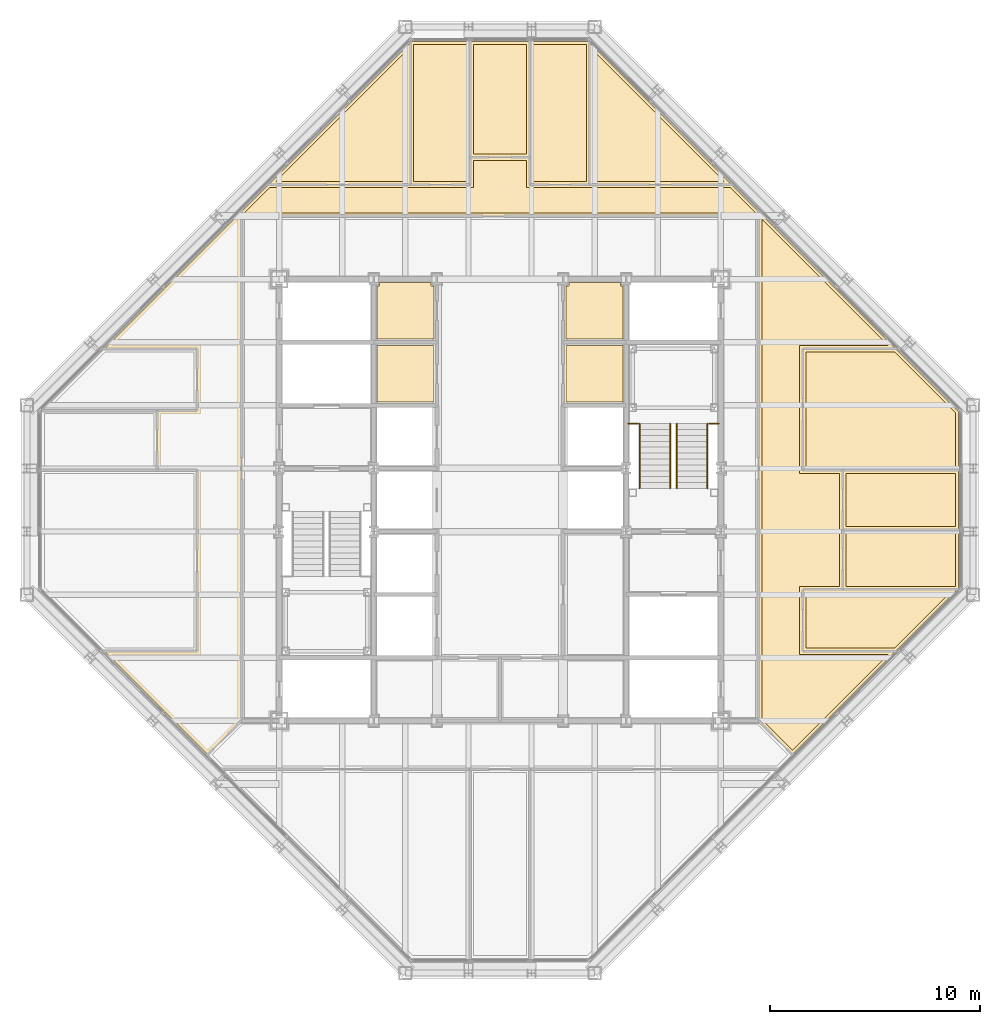
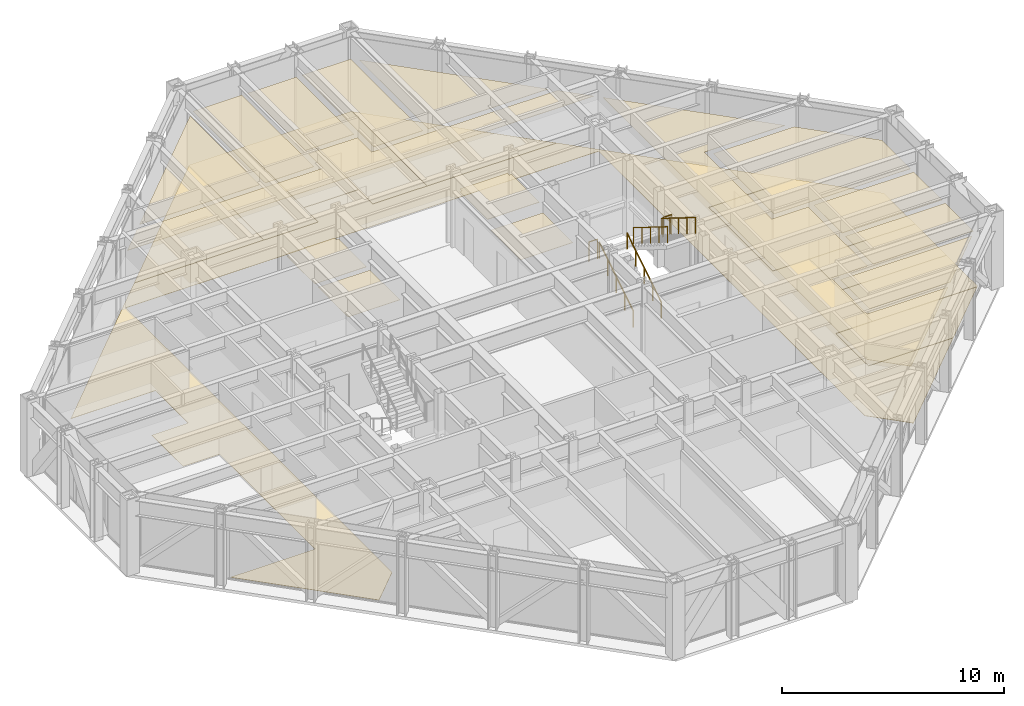
# One storey, part 15 of 15: 25 coverings, 6 railings.
"""IFC4 building model written with IfcOpenShell, lengths in metres."""

from ifc_helpers import new_model, si_unit, direction, frame, origin, origin_2d, place, context, subcontext, project, spatial, polyline, circle, outline, extrude, material, layer, layer_set, type_object, element, save


model = new_model("IFC4")

# Units and contexts
model_context = context("Model", 3, precision=1e-05, world=origin(), true_north=direction((0.0, 1.0)))
body_context = subcontext(model_context, "Body", "Model", "MODEL_VIEW")
ifc_project = project(units=[si_unit("LENGTHUNIT", "METRE"), si_unit("AREAUNIT", "SQUARE_METRE"), si_unit("VOLUMEUNIT", "CUBIC_METRE"), si_unit("PLANEANGLEUNIT", "RADIAN"), si_unit("MASSUNIT", "GRAM", prefix="KILO")], contexts=[model_context])

# Site, building, storey
site_placement = place(None, origin())
site = spatial("IfcSite", under=ifc_project, at=site_placement, CompositionType="ELEMENT")
building_placement = place(site_placement, origin())
building = spatial("IfcBuilding", under=site, at=building_placement, Name="Chuquiago Exchange Tower", CompositionType="ELEMENT")
storey_placement = place(building_placement, frame((0.0, 0.0, 266.39990234375)))
storey = spatial("IfcBuildingStorey", under=building, at=storey_placement, Name="L59", CompositionType="ELEMENT", Elevation=266.39990234375)

# Coverings
ifc_material_1 = material(Name="Mineral fibre tile, 600 x 600, on pale metal grid", Category="mineral fibre")
ifc_layer_1 = layer(ifc_material_1, 0.02001953125)
ifc_layer_set_1 = layer_set([ifc_layer_1], Name="CL1 suspended tile ceiling 20")
covering_type_1 = type_object("IfcCoveringType", Name="CL1 suspended tile ceiling 20", PredefinedType="CEILING", material=ifc_layer_set_1)
covering_1_placement = place(storey_placement, frame((0.0, 0.0, 3.0)))
element("IfcCovering", 1, at=covering_1_placement, inside=storey, type_object=covering_type_1, Name="Ceiling Office", PredefinedType="CEILING", context=body_context, shape_type="SweptSolid", body=[
    extrude(outline(polyline([(37.050048828125, 15.45703125), (37.050048828125, 18.098388671875), (43.896484375, 18.098388671875), (41.255126953125, 15.45703125), (37.050048828125, 15.45703125)])), origin(), (0.0, 0.0, 1.0), 0.02001953125),
])
covering_2_placement = place(storey_placement, frame((0.0, 0.0, 3.0)))
element("IfcCovering", 2, at=covering_2_placement, inside=storey, type_object=covering_type_1, Name="Ceiling Pantry", PredefinedType="CEILING", context=body_context, shape_type="SweptSolid", body=[
    extrude(outline(polyline([(38.949951171875, 18.3984375), (38.949951171875, 20.932861328125), (44.14990234375, 20.932861328125), (44.14990234375, 18.3984375), (38.949951171875, 18.3984375)])), origin(), (0.0, 0.0, 1.0), 0.02001953125),
])
covering_3_placement = place(storey_placement, frame((0.0, 0.0, 3.0)))
element("IfcCovering", 3, at=covering_3_placement, inside=storey, type_object=covering_type_1, Name="Ceiling Focus room", PredefinedType="CEILING", context=body_context, shape_type="SweptSolid", body=[
    extrude(outline(polyline([(38.949951171875, 21.23291015625), (38.949951171875, 23.76708984375), (44.14990234375, 23.76708984375), (44.14990234375, 21.23291015625), (38.949951171875, 21.23291015625)])), origin(), (0.0, 0.0, 1.0), 0.02001953125),
])
covering_4_placement = place(storey_placement, frame((0.0, 0.0, 3.0)))
element("IfcCovering", 4, at=covering_4_placement, inside=storey, type_object=covering_type_1, Name="Ceiling Office", PredefinedType="CEILING", context=body_context, shape_type="SweptSolid", body=[
    extrude(outline(polyline([(44.14990234375, 24.067138671875), (37.050048828125, 24.067138671875), (37.050048828125, 29.54296875), (41.255126953125, 29.54296875), (44.14990234375, 26.64794921875), (44.14990234375, 24.067138671875)])), origin(), (0.0, 0.0, 1.0), 0.02001953125),
])
covering_5_placement = place(storey_placement, frame((0.0, 0.0, 3.0)))
element("IfcCovering", 5, at=covering_5_placement, inside=storey, type_object=covering_type_1, Name="Ceiling Executive office", PredefinedType="CEILING", context=body_context, shape_type="SweptSolid", body=[
    extrude(outline(polyline([(18.098388671875, 37.64990234375), (11.85205078125, 37.64990234375), (18.098388671875, 43.896484375), (18.098388671875, 37.64990234375)])), origin(), (0.0, 0.0, 1.0), 0.02001953125),
])
covering_6_placement = place(storey_placement, frame((0.0, 0.0, 3.0)))
element("IfcCovering", 6, at=covering_6_placement, inside=storey, type_object=covering_type_1, Name="Ceiling Meeting room", PredefinedType="CEILING", context=body_context, shape_type="SweptSolid", body=[
    extrude(outline(polyline([(20.932861328125, 44.14990234375), (20.932861328125, 37.64990234375), (18.3984375, 37.64990234375), (18.3984375, 44.14990234375), (20.932861328125, 44.14990234375)])), origin(), (0.0, 0.0, 1.0), 0.02001953125),
])
covering_7_placement = place(storey_placement, frame((0.0, 0.0, 3.0)))
element("IfcCovering", 7, at=covering_7_placement, inside=storey, type_object=covering_type_1, Name="Ceiling Focus room", PredefinedType="CEILING", context=body_context, shape_type="SweptSolid", body=[
    extrude(outline(polyline([(23.76708984375, 38.949951171875), (21.23291015625, 38.949951171875), (21.23291015625, 44.14990234375), (23.76708984375, 44.14990234375), (23.76708984375, 38.949951171875)])), origin(), (0.0, 0.0, 1.0), 0.02001953125),
])
covering_8_placement = place(storey_placement, frame((0.0, 0.0, 3.0)))
element("IfcCovering", 8, at=covering_8_placement, inside=storey, type_object=covering_type_1, Name="Ceiling Office", PredefinedType="CEILING", context=body_context, shape_type="SweptSolid", body=[
    extrude(outline(polyline([(26.6015625, 37.64990234375), (24.067138671875, 37.64990234375), (24.067138671875, 44.14990234375), (26.6015625, 44.14990234375), (26.6015625, 37.64990234375)])), origin(), (0.0, 0.0, 1.0), 0.02001953125),
])
covering_9_placement = place(storey_placement, frame((0.0, 0.0, 3.0)))
element("IfcCovering", 9, at=covering_9_placement, inside=storey, type_object=covering_type_1, Name="Ceiling Conference room", PredefinedType="CEILING", context=body_context, shape_type="SweptSolid", body=[
    extrude(outline(polyline([(26.901611328125, 37.64990234375), (26.901611328125, 43.896484375), (33.14794921875, 37.64990234375), (26.901611328125, 37.64990234375)])), origin(), (0.0, 0.0, 1.0), 0.02001953125),
])
covering_10_placement = place(storey_placement, frame((0.0, 0.0, 3.0)))
element("IfcCovering", 10, at=covering_10_placement, inside=storey, type_object=covering_type_1, Name="Ceiling Executive reception east", PredefinedType="CEILING", context=body_context, shape_type="SweptSolid", body=[
    extrude(outline(polyline([(40.955078125, 29.843017578125), (36.75, 29.843017578125), (36.75, 23.76708984375), (38.64990234375, 23.76708984375), (38.64990234375, 18.3984375), (36.75, 18.3984375), (36.75, 15.156982421875), (40.955078125, 15.156982421875), (36.405517578125, 10.607421875), (34.949951171875, 12.0625), (34.949951171875, 35.847900390625), (40.955078125, 29.843017578125)])), origin(), (0.0, 0.0, 1.0), 0.02001953125),
])
covering_11_placement = place(storey_placement, frame((0.0, 0.0, 3.0)))
element("IfcCovering", 11, at=covering_11_placement, inside=storey, type_object=covering_type_1, Name="Ceiling Executive reception east", PredefinedType="CEILING", context=body_context, shape_type="SweptSolid", body=[
    extrude(outline(polyline([(11.552001953125, 37.35009765625), (21.23291015625, 37.35009765625), (21.23291015625, 38.64990234375), (23.76708984375, 38.64990234375), (23.76708984375, 37.35009765625), (33.447998046875, 37.35009765625), (34.64794921875, 36.14990234375), (10.35205078125, 36.14990234375), (11.552001953125, 37.35009765625)])), origin(), (0.0, 0.0, 1.0), 0.02001953125),
])
covering_12_placement = place(storey_placement, frame((0.0, 0.0, 3.0)))
element("IfcCovering", 12, at=covering_12_placement, inside=storey, type_object=covering_type_1, Name="Ceiling Baby change room", PredefinedType="CEILING", context=body_context, shape_type="SweptSolid", body=[
    extrude(outline(polyline([(25.64990234375, 30.14990234375), (25.64990234375, 32.67578125), (25.77490234375, 32.67578125), (25.77490234375, 32.85009765625), (28.22509765625, 32.85009765625), (28.22509765625, 32.67578125), (28.35009765625, 32.67578125), (28.35009765625, 30.14990234375), (25.64990234375, 30.14990234375)])), origin(), (0.0, 0.0, 1.0), 0.02001953125),
])
ifc_material_2 = material(Name="Moisture resistant plasterboard on metal frame", Category="gypsum")
ifc_layer_2 = layer(ifc_material_2, 0.014892578125)
ifc_layer_set_2 = layer_set([ifc_layer_2], Name="CL2 moisture resistant ceiling 15")
covering_type_2 = type_object("IfcCoveringType", Name="CL2 moisture resistant ceiling 15", PredefinedType="CEILING", material=ifc_layer_set_2)
covering_13_placement = place(storey_placement, frame((0.0, 0.0, 2.60009765625)))
element("IfcCovering", 13, at=covering_13_placement, inside=storey, type_object=covering_type_2, Name="Ceiling Male WC", PredefinedType="CEILING", context=body_context, shape_type="SweptSolid", body=[
    extrude(outline(polyline([(16.64990234375, 27.14990234375), (16.64990234375, 29.85009765625), (19.35009765625, 29.85009765625), (19.35009765625, 27.14990234375), (16.64990234375, 27.14990234375)])), origin(), (0.0, 0.0, 1.0), 0.014892578125),
])
covering_14_placement = place(storey_placement, frame((0.0, 0.0, 2.60009765625)))
element("IfcCovering", 14, at=covering_14_placement, inside=storey, type_object=covering_type_2, Name="Ceiling Staff shower room", PredefinedType="CEILING", context=body_context, shape_type="SweptSolid", body=[
    extrude(outline(polyline([(16.64990234375, 30.14990234375), (16.64990234375, 32.67578125), (16.77490234375, 32.67578125), (16.77490234375, 32.85009765625), (19.22509765625, 32.85009765625), (19.22509765625, 32.67578125), (19.35009765625, 32.67578125), (19.35009765625, 30.14990234375), (16.64990234375, 30.14990234375)])), origin(), (0.0, 0.0, 1.0), 0.014892578125),
])
covering_15_placement = place(storey_placement, frame((0.0, 0.0, 2.60009765625)))
element("IfcCovering", 15, at=covering_15_placement, inside=storey, type_object=covering_type_2, Name="Ceiling Female WC", PredefinedType="CEILING", context=body_context, shape_type="SweptSolid", body=[
    extrude(outline(polyline([(25.64990234375, 27.14990234375), (25.64990234375, 29.85009765625), (28.35009765625, 29.85009765625), (28.35009765625, 27.14990234375), (25.64990234375, 27.14990234375)])), origin(), (0.0, 0.0, 1.0), 0.014892578125),
])
ifc_material_3 = material(Name="Carpet tile, 500 x 500, on the floor slab", Category="textile")
ifc_layer_3 = layer(ifc_material_3, 0.010009765625)
ifc_layer_set_3 = layer_set([ifc_layer_3], Name="FL1 carpet tile 10")
covering_type_3 = type_object("IfcCoveringType", Name="FL1 carpet tile 10", PredefinedType="FLOORING", material=ifc_layer_set_3)
covering_16_placement = place(storey_placement, origin())
element("IfcCovering", 16, at=covering_16_placement, inside=storey, type_object=covering_type_3, Name="Floor finish Office", PredefinedType="FLOORING", context=body_context, shape_type="SweptSolid", body=[
    extrude(outline(polyline([(41.317138671875, 15.30712890625), (36.89990234375, 15.30712890625), (36.89990234375, 18.24853515625), (44.258544921875, 18.24853515625), (41.317138671875, 15.30712890625)])), origin(), (0.0, 0.0, 1.0), 0.010009765625),
])
covering_17_placement = place(storey_placement, origin())
element("IfcCovering", 17, at=covering_17_placement, inside=storey, type_object=covering_type_3, Name="Floor finish Focus room", PredefinedType="FLOORING", context=body_context, shape_type="SweptSolid", body=[
    extrude(outline(polyline([(44.300048828125, 21.082763671875), (38.800048828125, 21.082763671875), (38.800048828125, 23.917236328125), (44.300048828125, 23.917236328125), (44.300048828125, 21.082763671875)])), origin(), (0.0, 0.0, 1.0), 0.010009765625),
])
covering_18_placement = place(storey_placement, origin())
element("IfcCovering", 18, at=covering_18_placement, inside=storey, type_object=covering_type_3, Name="Floor finish Office", PredefinedType="FLOORING", context=body_context, shape_type="SweptSolid", body=[
    extrude(outline(polyline([(44.300048828125, 26.710205078125), (44.300048828125, 23.917236328125), (36.89990234375, 23.917236328125), (36.89990234375, 29.69287109375), (41.317138671875, 29.69287109375), (44.300048828125, 26.710205078125)])), origin(), (0.0, 0.0, 1.0), 0.010009765625),
])
covering_19_placement = place(storey_placement, origin())
element("IfcCovering", 19, at=covering_19_placement, inside=storey, type_object=covering_type_3, Name="Floor finish Executive office", PredefinedType="FLOORING", context=body_context, shape_type="SweptSolid", body=[
    extrude(outline(polyline([(18.24853515625, 44.258544921875), (18.24853515625, 37.5), (11.489990234375, 37.5), (18.24853515625, 44.258544921875)])), origin(), (0.0, 0.0, 1.0), 0.010009765625),
])
covering_20_placement = place(storey_placement, origin())
element("IfcCovering", 20, at=covering_20_placement, inside=storey, type_object=covering_type_3, Name="Floor finish Meeting room", PredefinedType="FLOORING", context=body_context, shape_type="SweptSolid", body=[
    extrude(outline(polyline([(18.289794921875, 44.300048828125), (21.082763671875, 44.300048828125), (21.082763671875, 37.5), (18.24853515625, 37.5), (18.24853515625, 44.258544921875), (18.289794921875, 44.300048828125)])), origin(), (0.0, 0.0, 1.0), 0.010009765625),
])
covering_21_placement = place(storey_placement, origin())
element("IfcCovering", 21, at=covering_21_placement, inside=storey, type_object=covering_type_3, Name="Floor finish Focus room", PredefinedType="FLOORING", context=body_context, shape_type="SweptSolid", body=[
    extrude(outline(polyline([(23.917236328125, 44.300048828125), (23.917236328125, 38.800048828125), (21.082763671875, 38.800048828125), (21.082763671875, 44.300048828125), (23.917236328125, 44.300048828125)])), origin(), (0.0, 0.0, 1.0), 0.010009765625),
])
covering_22_placement = place(storey_placement, origin())
element("IfcCovering", 22, at=covering_22_placement, inside=storey, type_object=covering_type_3, Name="Floor finish Office", PredefinedType="FLOORING", context=body_context, shape_type="SweptSolid", body=[
    extrude(outline(polyline([(26.710205078125, 44.300048828125), (26.75146484375, 44.258544921875), (26.75146484375, 37.5), (23.917236328125, 37.5), (23.917236328125, 44.300048828125), (26.710205078125, 44.300048828125)])), origin(), (0.0, 0.0, 1.0), 0.010009765625),
])
covering_23_placement = place(storey_placement, origin())
element("IfcCovering", 23, at=covering_23_placement, inside=storey, type_object=covering_type_3, Name="Floor finish Conference room", PredefinedType="FLOORING", context=body_context, shape_type="SweptSolid", body=[
    extrude(outline(polyline([(33.510009765625, 37.5), (26.75146484375, 37.5), (26.75146484375, 44.258544921875), (33.510009765625, 37.5)])), origin(), (0.0, 0.0, 1.0), 0.010009765625),
])
ifc_material_4 = material(Name="Porcelain floor tile, 600 x 600, on adhesive bed", Category="ceramic")
ifc_layer_4 = layer(ifc_material_4, 0.014892578125)
ifc_layer_set_4 = layer_set([ifc_layer_4], Name="FL2 porcelain tile 15")
covering_type_4 = type_object("IfcCoveringType", Name="FL2 porcelain tile 15", PredefinedType="FLOORING", material=ifc_layer_set_4)
covering_24_placement = place(storey_placement, origin())
element("IfcCovering", 24, at=covering_24_placement, inside=storey, type_object=covering_type_4, Name="Floor finish Pantry", PredefinedType="FLOORING", context=body_context, shape_type="SweptSolid", body=[
    extrude(outline(polyline([(44.300048828125, 18.289794921875), (44.258544921875, 18.24853515625), (38.800048828125, 18.24853515625), (38.800048828125, 21.082763671875), (44.300048828125, 21.082763671875), (44.300048828125, 18.289794921875)])), origin(), (0.0, 0.0, 1.0), 0.01513671875),
])
covering_25_placement = place(storey_placement, origin())
element("IfcCovering", 25, at=covering_25_placement, inside=storey, type_object=covering_type_4, Name="Floor finish Executive reception east", PredefinedType="FLOORING", context=body_context, shape_type="SweptSolid", body=[
    extrude(outline(polyline([(23.917236328125, 38.800048828125), (23.917236328125, 37.5), (33.510009765625, 37.5), (30.130859375, 40.87939453125), (41.317138671875, 29.69287109375), (36.89990234375, 29.69287109375), (36.89990234375, 23.917236328125), (38.800048828125, 23.917236328125), (38.800048828125, 21.082763671875), (38.800048828125, 18.24853515625), (36.89990234375, 18.24853515625), (36.89990234375, 15.30712890625), (41.317138671875, 15.30712890625), (36.405517578125, 10.395263671875), (34.800048828125, 12.00048828125), (34.800048828125, 36.0), (10.199951171875, 36.0), (10.199951171875, 12.00048828125), (8.594482421875, 10.395263671875), (3.682861328125, 15.30712890625), (8.10009765625, 15.30712890625), (8.10009765625, 23.917236328125), (6.199951171875, 23.917236328125), (6.199951171875, 26.75146484375), (8.10009765625, 26.75146484375), (8.10009765625, 29.69287109375), (3.682861328125, 29.69287109375), (0.8505859375, 26.860595703125), (11.489990234375, 37.5), (21.082763671875, 37.5), (21.082763671875, 38.800048828125), (23.917236328125, 38.800048828125)])), origin(), (0.0, 0.0, 1.0), 0.01513671875),
])

# Railings
ifc_material_5 = material(Name="Pale metal guard with safety glass infill", Category="glass")
railing_type_1 = type_object("IfcRailingType", Name="GR1 guard 1100", PredefinedType="GUARDRAIL", material=ifc_material_5)
for number, where, name in (
    (26, (28.60009765625, 26.1298828125, 2.10009765625), "Guard ST2 L59 landing 2"),
    (27, (32.445068359375, 26.1298828125, 2.10009765625), "Guard ST2 L59 landing 2"),
):
    element("IfcRailing", number, at=place(storey_placement, frame(where)), inside=storey, type_object=railing_type_1, Name=name, PredefinedType="GUARDRAIL", context=body_context, shape_type="SweptSolid", body=[
        extrude(circle(Radius=0.02392578125, at=origin_2d()), frame((0.0, 0.0, 1.076171875), z_axis=(1.0, 0.0, 0.0), x_axis=(0.0, 1.0, 0.0)), (0.0, 0.0, 1.0), 0.454833984375),
        extrude(circle(Radius=0.02099609375, at=origin_2d()), origin(), (0.0, 0.0, 1.0), 1.052001953125),
        extrude(circle(Radius=0.02099609375, at=origin_2d()), frame((0.454833984375, 0.0, 0.0)), (0.0, 0.0, 1.0), 1.052001953125),
    ])
ifc_material_6 = material(Name="Pale metal handrail", Category="steel")
railing_type_2 = type_object("IfcRailingType", Name="HR1 handrail 900", PredefinedType="HANDRAIL", material=ifc_material_6)
for number, where, name in (
    (28, (30.5849609375, 23.050048828125, 0.175048828125), "Handrail ST2 L59 flight 1"),
    (29, (29.135009765625, 23.050048828125, 0.175048828125), "Handrail ST2 L59 flight 1"),
):
    element("IfcRailing", number, at=place(storey_placement, frame(where)), inside=storey, type_object=railing_type_2, Name=name, PredefinedType="HANDRAIL", context=body_context, shape_type="SweptSolid", body=[
        extrude(circle(Radius=0.02392578125, at=origin_2d()), frame((0.0, 0.0, 0.8759765625), z_axis=(0.0, 0.847979421464, 0.530029150871), x_axis=(-1.0, 0.0, 0.0)), (0.0, 0.0, 1.0), 3.632080078125),
        extrude(circle(Radius=0.02099609375, at=origin_2d()), origin(), (0.0, 0.0, 1.0), 0.851806640625),
        extrude(circle(Radius=0.02099609375, at=origin_2d()), frame((0.0, 0.77001953125, 0.481201171875)), (0.0, 0.0, 1.0), 0.851806640625),
        extrude(circle(Radius=0.02099609375, at=origin_2d()), frame((0.0, 1.5400390625, 0.96240234375)), (0.0, 0.0, 1.0), 0.851806640625),
        extrude(circle(Radius=0.02099609375, at=origin_2d()), frame((0.0, 2.309814453125, 1.44384765625)), (0.0, 0.0, 1.0), 0.851806640625),
        extrude(circle(Radius=0.02099609375, at=origin_2d()), frame((0.0, 3.079833984375, 1.925048828125)), (0.0, 0.0, 1.0), 0.851806640625),
    ])
for number, where, name in (
    (30, (30.9150390625, 26.1298828125, 2.275146484375), "Handrail ST2 L59 flight 2"),
    (31, (32.364990234375, 26.1298828125, 2.275146484375), "Handrail ST2 L59 flight 2"),
):
    element("IfcRailing", number, at=place(storey_placement, frame(where)), inside=storey, type_object=railing_type_2, Name=name, PredefinedType="HANDRAIL", context=body_context, shape_type="SweptSolid", body=[
        extrude(circle(Radius=0.02392578125, at=origin_2d()), frame((0.0, 0.0, 0.8759765625), z_axis=(0.0, -0.847979421464, 0.530029150871), x_axis=(1.0, 0.0, 0.0)), (0.0, 0.0, 1.0), 3.632080078125),
        extrude(circle(Radius=0.02099609375, at=origin_2d()), origin(), (0.0, 0.0, 1.0), 0.851806640625),
        extrude(circle(Radius=0.02099609375, at=origin_2d()), frame((0.0, -0.77001953125, 0.481201171875)), (0.0, 0.0, 1.0), 0.851806640625),
        extrude(circle(Radius=0.02099609375, at=origin_2d()), frame((0.0, -1.5400390625, 0.96240234375)), (0.0, 0.0, 1.0), 0.851806640625),
        extrude(circle(Radius=0.02099609375, at=origin_2d()), frame((0.0, -2.309814453125, 1.44384765625)), (0.0, 0.0, 1.0), 0.851806640625),
        extrude(circle(Radius=0.02099609375, at=origin_2d()), frame((0.0, -3.079833984375, 1.925048828125)), (0.0, 0.0, 1.0), 0.851806640625),
    ])

save(model, "model.ifc")
